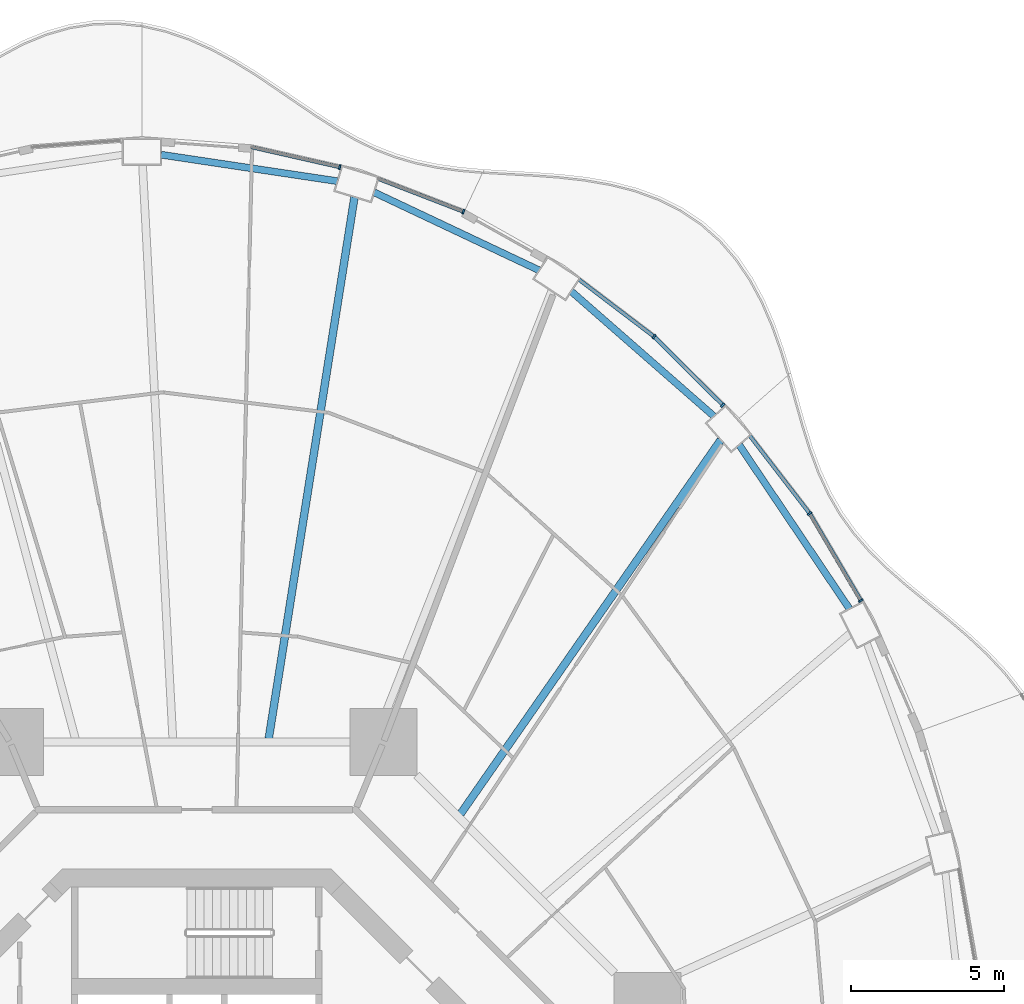
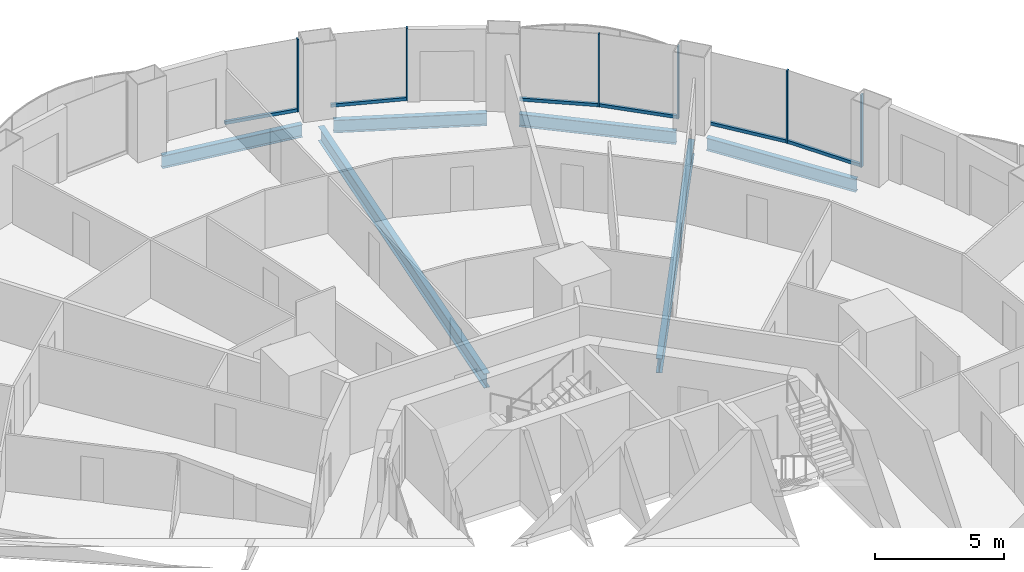
# One storey, part 11 of 24: 12 members, 6 beams, 6 elements without a shape of their own.
"""IFC4 building model written with IfcOpenShell, lengths in metres."""

from ifc_helpers import new_model, si_unit, direction, frame, origin, origin_2d, place, context, subcontext, project, spatial, rectangle, i_section, extrude, material, layer, layer_set, material_profile, profile_set, type_object, element, aggregate, save


model = new_model("IFC4")

# Units and contexts
model_context = context("Model", 3, precision=1e-05, world=origin(), true_north=direction((0.0, 1.0)))
body_context = subcontext(model_context, "Body", "Model", "MODEL_VIEW")
ifc_project = project(units=[si_unit("LENGTHUNIT", "METRE"), si_unit("AREAUNIT", "SQUARE_METRE"), si_unit("VOLUMEUNIT", "CUBIC_METRE"), si_unit("PLANEANGLEUNIT", "RADIAN"), si_unit("MASSUNIT", "GRAM", prefix="KILO")], contexts=[model_context])

# Site, building, storey
site_placement = place(None, origin())
site = spatial("IfcSite", under=ifc_project, at=site_placement, CompositionType="ELEMENT")
building_placement = place(site_placement, origin())
building = spatial("IfcBuilding", under=site, at=building_placement, Name="Nagisa Residences", CompositionType="ELEMENT")
storey_placement = place(building_placement, frame((0.0, 0.0, 102.89990234375)))
storey = spatial("IfcBuildingStorey", under=building, at=storey_placement, Name="L25", CompositionType="ELEMENT", Elevation=102.89990234375)

# Curtain wall, member
ifc_material_1 = material(Name="Concrete-coloured aluminium curtain wall system", Category="concrete")
ifc_layer = layer(ifc_material_1, 0.159912109375)
ifc_layer_set = layer_set([ifc_layer], Name="CW1 CURTAIN WALL")
curtain_wall_type = type_object("IfcCurtainWallType", Name="CW1 CURTAIN WALL", PredefinedType="NOTDEFINED", material=ifc_layer_set)
curtain_wall_1_placement = place(storey_placement, origin())
curtain_wall_1 = element("IfcCurtainWall", 1, at=curtain_wall_1_placement, inside=storey, type_object=curtain_wall_type, Name="cw:CW1:L25:04", PredefinedType="NOTDEFINED")
ifc_material_2 = material(Name="Concrete-coloured aluminium", Category="concrete")
ifc_material_profile_1 = material_profile(ifc_material_2, rectangle(XDim=0.159912109375, YDim=0.06005859375, at=origin_2d()), Name="CW1 MULLION 160x60")
ifc_profile_set_1 = profile_set([ifc_material_profile_1], Name="Concrete-coloured aluminium")
member_type_1 = type_object("IfcMemberType", Name="CW1 MULLION 160x60", PredefinedType="MULLION", material=ifc_profile_set_1)
member_1_placement = place(storey_placement, frame((21.771240234375, 19.421142578125, 0.0), z_axis=(0.0, 0.0, 1.0), x_axis=(-0.862328898214, -0.506348567002, 0.0)))
member_1 = element("IfcMember", 2, at=member_1_placement, type_object=member_type_1, Name="CW1 mullion", PredefinedType="MULLION", context=body_context, shape_type="SweptSolid", body=[
    extrude(rectangle(XDim=0.159912109375, YDim=0.06005859375, at=origin_2d()), origin(), (0.0, 0.0, 1.0), 3.440185546875),
])

curtain_wall_2_placement = place(storey_placement, origin())
curtain_wall_2 = element("IfcCurtainWall", 3, at=curtain_wall_2_placement, inside=storey, type_object=curtain_wall_type, Name="cw:CW1:L25:05", PredefinedType="NOTDEFINED")
member_2_placement = place(storey_placement, frame((20.09033203125, 22.27783203125, 0.0), z_axis=(0.0, 0.0, 1.0), x_axis=(-0.792070340816, -0.610429828235, 0.0)))
member_2 = element("IfcMember", 4, at=member_2_placement, type_object=member_type_1, Name="CW1 mullion", PredefinedType="MULLION", context=body_context, shape_type="SweptSolid", body=[
    extrude(rectangle(XDim=0.159912109375, YDim=0.06005859375, at=origin_2d()), origin(), (0.0, 0.0, 1.0), 3.440185546875),
])

curtain_wall_3_placement = place(storey_placement, origin())
curtain_wall_3 = element("IfcCurtainWall", 5, at=curtain_wall_3_placement, inside=storey, type_object=curtain_wall_type, Name="cw:CW1:L25:06", PredefinedType="NOTDEFINED")
member_3_placement = place(storey_placement, frame((17.24560546875, 25.825927734375, 0.0), z_axis=(0.0, 0.0, 1.0), x_axis=(-0.706376885714, -0.707835924016, 0.0)))
member_3 = element("IfcMember", 6, at=member_3_placement, type_object=member_type_1, Name="CW1 mullion", PredefinedType="MULLION", context=body_context, shape_type="SweptSolid", body=[
    extrude(rectangle(XDim=0.159912109375, YDim=0.06005859375, at=origin_2d()), origin(), (0.0, 0.0, 1.0), 3.440185546875),
])

curtain_wall_4_placement = place(storey_placement, origin())
curtain_wall_4 = element("IfcCurtainWall", 7, at=curtain_wall_4_placement, inside=storey, type_object=curtain_wall_type, Name="cw:CW1:L25:07", PredefinedType="NOTDEFINED")
member_4_placement = place(storey_placement, frame((14.9873046875, 28.07470703125, 0.0), z_axis=(0.0, 0.0, 1.0), x_axis=(-0.605255421737, -0.79603132756, 0.0)))
member_4 = element("IfcMember", 8, at=member_4_placement, type_object=member_type_1, Name="CW1 mullion", PredefinedType="MULLION", context=body_context, shape_type="SweptSolid", body=[
    extrude(rectangle(XDim=0.159912109375, YDim=0.06005859375, at=origin_2d()), origin(), (0.0, 0.0, 1.0), 3.440185546875),
])

curtain_wall_5_placement = place(storey_placement, origin())
curtain_wall_5 = element("IfcCurtainWall", 9, at=curtain_wall_5_placement, inside=storey, type_object=curtain_wall_type, Name="cw:CW1:L25:09", PredefinedType="NOTDEFINED")
member_5_placement = place(storey_placement, frame((8.74169921875, 32.169921875, 0.0), z_axis=(0.0, 0.0, 1.0), x_axis=(-0.360327770268, -0.932825759707, 0.0)))
member_5 = element("IfcMember", 10, at=member_5_placement, type_object=member_type_1, Name="CW1 mullion", PredefinedType="MULLION", context=body_context, shape_type="SweptSolid", body=[
    extrude(rectangle(XDim=0.159912109375, YDim=0.06005859375, at=origin_2d()), origin(), (0.0, 0.0, 1.0), 3.440185546875),
])

curtain_wall_6_placement = place(storey_placement, origin())
curtain_wall_6 = element("IfcCurtainWall", 11, at=curtain_wall_6_placement, inside=storey, type_object=curtain_wall_type, Name="cw:CW1:L25:10", PredefinedType="NOTDEFINED")
member_6_placement = place(storey_placement, frame((4.68701171875, 33.630859375, 0.0), z_axis=(0.0, 0.0, 1.0), x_axis=(-0.2207639201, -0.975327274089, 0.0)))
member_6 = element("IfcMember", 12, at=member_6_placement, type_object=member_type_1, Name="CW1 mullion", PredefinedType="MULLION", context=body_context, shape_type="SweptSolid", body=[
    extrude(rectangle(XDim=0.159912109375, YDim=0.06005859375, at=origin_2d()), origin(), (0.0, 0.0, 1.0), 3.440185546875),
])

# Member
ifc_material_3 = material(Name="Concrete-coloured aluminium", Category="concrete")
ifc_material_profile_2 = material_profile(ifc_material_3, rectangle(XDim=0.1201171875, YDim=0.14990234375, at=origin_2d()), Name="CW1 TRANSOM 120x150")
ifc_profile_set_2 = profile_set([ifc_material_profile_2], Name="Concrete-coloured aluminium")
member_type_2 = type_object("IfcMemberType", Name="CW1 TRANSOM 120x150", PredefinedType="USERDEFINED", material=ifc_profile_set_2)
member_7_placement = place(storey_placement, frame((21.786376953125, 19.395263671875, 0.0751953125), z_axis=(-0.506329983076, 0.86233981019, 0.0), x_axis=(-0.86233981019, -0.506329983076, 0.0)))
member_7 = element("IfcMember", 13, at=member_7_placement, type_object=member_type_2, Name="CW1 transom", ObjectType="TRANSOM", PredefinedType="USERDEFINED", context=body_context, shape_type="SweptSolid", body=[
    extrude(rectangle(XDim=0.1201171875, YDim=0.14990234375, at=origin_2d()), origin(), (0.0, 0.0, 1.0), 3.32470703125),
])

aggregate(curtain_wall_1, [member_1, member_7])

member_8_placement = place(storey_placement, frame((20.108642578125, 22.25390625, 0.0751953125), z_axis=(-0.610458970322, 0.792047880847, 0.0), x_axis=(-0.792047880847, -0.610458970322, 0.0)))
member_8 = element("IfcMember", 14, at=member_8_placement, type_object=member_type_2, Name="CW1 transom", ObjectType="TRANSOM", PredefinedType="USERDEFINED", context=body_context, shape_type="SweptSolid", body=[
    extrude(rectangle(XDim=0.1201171875, YDim=0.14990234375, at=origin_2d()), origin(), (0.0, 0.0, 1.0), 3.262939453125),
])

aggregate(curtain_wall_2, [member_2, member_8])

member_9_placement = place(storey_placement, frame((17.2666015625, 25.8046875, 0.0751953125), z_axis=(-0.707831724839, 0.70638109354, 0.0), x_axis=(-0.70638109354, -0.707831724839, 0.0)))
member_9 = element("IfcMember", 15, at=member_9_placement, type_object=member_type_2, Name="CW1 transom", ObjectType="TRANSOM", PredefinedType="USERDEFINED", context=body_context, shape_type="SweptSolid", body=[
    extrude(rectangle(XDim=0.1201171875, YDim=0.14990234375, at=origin_2d()), origin(), (0.0, 0.0, 1.0), 3.19775390625),
])

aggregate(curtain_wall_3, [member_3, member_9])

member_10_placement = place(storey_placement, frame((15.01123046875, 28.056640625, 0.0751953125), z_axis=(-0.796037575978, 0.605247203736, 0.0), x_axis=(-0.605247203736, -0.796037575978, 0.0)))
member_10 = element("IfcMember", 16, at=member_10_placement, type_object=member_type_2, Name="CW1 transom", ObjectType="TRANSOM", PredefinedType="USERDEFINED", context=body_context, shape_type="SweptSolid", body=[
    extrude(rectangle(XDim=0.1201171875, YDim=0.14990234375, at=origin_2d()), origin(), (0.0, 0.0, 1.0), 3.1337890625),
])

aggregate(curtain_wall_4, [member_4, member_10])

member_11_placement = place(storey_placement, frame((8.76953125, 32.1591796875, 0.0751953125), z_axis=(-0.932827091302, 0.360324322982, 0.0), x_axis=(-0.360324322982, -0.932827091302, 0.0)))
member_11 = element("IfcMember", 17, at=member_11_placement, type_object=member_type_2, Name="CW1 transom", ObjectType="TRANSOM", PredefinedType="USERDEFINED", context=body_context, shape_type="SweptSolid", body=[
    extrude(rectangle(XDim=0.1201171875, YDim=0.14990234375, at=origin_2d()), origin(), (0.0, 0.0, 1.0), 3.02734375),
])

aggregate(curtain_wall_5, [member_5, member_11])

member_12_placement = place(storey_placement, frame((4.71630859375, 33.624267578125, 0.0751953125), z_axis=(-0.975313630467, 0.220824188497, 0.0), x_axis=(-0.220824188497, -0.975313630467, 0.0)))
member_12 = element("IfcMember", 18, at=member_12_placement, type_object=member_type_2, Name="CW1 transom", ObjectType="TRANSOM", PredefinedType="USERDEFINED", context=body_context, shape_type="SweptSolid", body=[
    extrude(rectangle(XDim=0.1201171875, YDim=0.14990234375, at=origin_2d()), origin(), (0.0, 0.0, 1.0), 2.992919921875),
])

aggregate(curtain_wall_6, [member_6, member_12])

# Beams
ifc_material_4 = material(Name="Steel ASTM A572 Gr 50", Category="steel")
ifc_material_profile_3 = material_profile(ifc_material_4, i_section(OverallWidth=0.22802734375, OverallDepth=0.60302734375, WebThickness=0.010498046875, FlangeThickness=0.014892578125, at=origin_2d()), Name="W610x101")
ifc_profile_set_3 = profile_set([ifc_material_profile_3], Name="Steel ASTM A572 Gr 50")
beam_type_1 = type_object("IfcBeamType", Name="Perimeter ring beam W610x101", PredefinedType="BEAM", material=ifc_profile_set_3)
beam_1_placement = place(storey_placement, frame((21.397216796875, 19.152099609375, -0.5615234375), z_axis=(-0.55824704812, 0.829674775599, 0.0), x_axis=(-0.829674775599, -0.55824704812, 0.0)))
element("IfcBeam", 19, at=beam_1_placement, inside=storey, type_object=beam_type_1, Name="beam:L25:pb03", PredefinedType="BEAM", context=body_context, shape_type="SweptSolid", body=[
    extrude(i_section(OverallWidth=0.22802734375, OverallDepth=0.60302734375, WebThickness=0.010498046875, FlangeThickness=0.014892578125, at=origin_2d()), origin(), (0.0, 0.0, 1.0), 6.4716796875),
])
beam_2_placement = place(storey_placement, frame((16.951416015625, 25.46728515625, -0.5615234375), z_axis=(-0.752525569707, 0.658563031863, 0.0), x_axis=(-0.658563031863, -0.752525569707, 0.0)))
element("IfcBeam", 20, at=beam_2_placement, inside=storey, type_object=beam_type_1, Name="beam:L25:pb04", PredefinedType="BEAM", context=body_context, shape_type="SweptSolid", body=[
    extrude(i_section(OverallWidth=0.22802734375, OverallDepth=0.60302734375, WebThickness=0.010498046875, FlangeThickness=0.014892578125, at=origin_2d()), origin(), (0.0, 0.0, 1.0), 6.21240234375),
])
beam_3_placement = place(storey_placement, frame((11.22216796875, 30.249267578125, -0.5615234375), z_axis=(-0.904196975776, 0.427115709144, 0.0), x_axis=(-0.427115709144, -0.904196975776, 0.0)))
element("IfcBeam", 21, at=beam_3_placement, inside=storey, type_object=beam_type_1, Name="beam:L25:pb05", PredefinedType="BEAM", context=body_context, shape_type="SweptSolid", body=[
    extrude(i_section(OverallWidth=0.22802734375, OverallDepth=0.60302734375, WebThickness=0.010498046875, FlangeThickness=0.014892578125, at=origin_2d()), origin(), (0.0, 0.0, 1.0), 5.980712890625),
])
beam_4_placement = place(storey_placement, frame((4.608642578125, 33.17041015625, -0.5615234375), z_axis=(-0.988913048607, 0.148495731568, 0.0), x_axis=(-0.148495731568, -0.988913048607, 0.0)))
element("IfcBeam", 22, at=beam_4_placement, inside=storey, type_object=beam_type_1, Name="beam:L25:pb06", PredefinedType="BEAM", context=body_context, shape_type="SweptSolid", body=[
    extrude(i_section(OverallWidth=0.22802734375, OverallDepth=0.60302734375, WebThickness=0.010498046875, FlangeThickness=0.014892578125, at=origin_2d()), origin(), (0.0, 0.0, 1.0), 5.843017578125),
])
ifc_material_5 = material(Name="Steel ASTM A572 Gr 50", Category="steel")
ifc_material_profile_4 = material_profile(ifc_material_5, i_section(OverallWidth=0.2529296875, OverallDepth=0.677978515625, WebThickness=0.01171875, FlangeThickness=0.016357421875, at=origin_2d()), Name="W690x125")
ifc_profile_set_4 = profile_set([ifc_material_profile_4], Name="Steel ASTM A572 Gr 50")
beam_type_2 = type_object("IfcBeamType", Name="Radial beam W690x125", PredefinedType="BEAM", material=ifc_profile_set_4)
beam_5_placement = place(storey_placement, frame((17.176513671875, 24.6845703125, -0.598876953125), z_axis=(-0.571167903467, -0.820833251062, 0.0), x_axis=(0.820833251062, -0.571167903467, 0.0)))
element("IfcBeam", 23, at=beam_5_placement, inside=storey, type_object=beam_type_2, Name="beam:L25:rb04", PredefinedType="BEAM", context=body_context, shape_type="SweptSolid", body=[
    extrude(i_section(OverallWidth=0.2529296875, OverallDepth=0.677978515625, WebThickness=0.01171875, FlangeThickness=0.016357421875, at=origin_2d()), origin(), (0.0, 0.0, 1.0), 14.93994140625),
])
beam_6_placement = place(storey_placement, frame((5.170654296875, 32.64697265625, -0.598876953125), z_axis=(-0.156426410961, -0.987689616202, 0.0), x_axis=(0.987689616202, -0.156426410961, 0.0)))
element("IfcBeam", 24, at=beam_6_placement, inside=storey, type_object=beam_type_2, Name="beam:L25:rb06", PredefinedType="BEAM", context=body_context, shape_type="SweptSolid", body=[
    extrude(i_section(OverallWidth=0.2529296875, OverallDepth=0.677978515625, WebThickness=0.01171875, FlangeThickness=0.016357421875, at=origin_2d()), origin(), (0.0, 0.0, 1.0), 17.973388671875),
])

save(model, "model.ifc")
